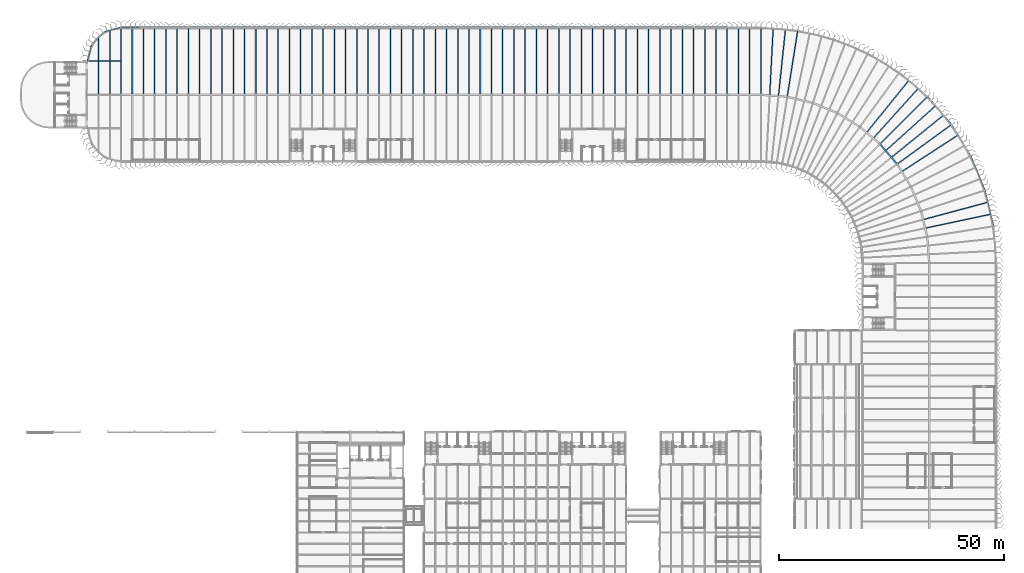
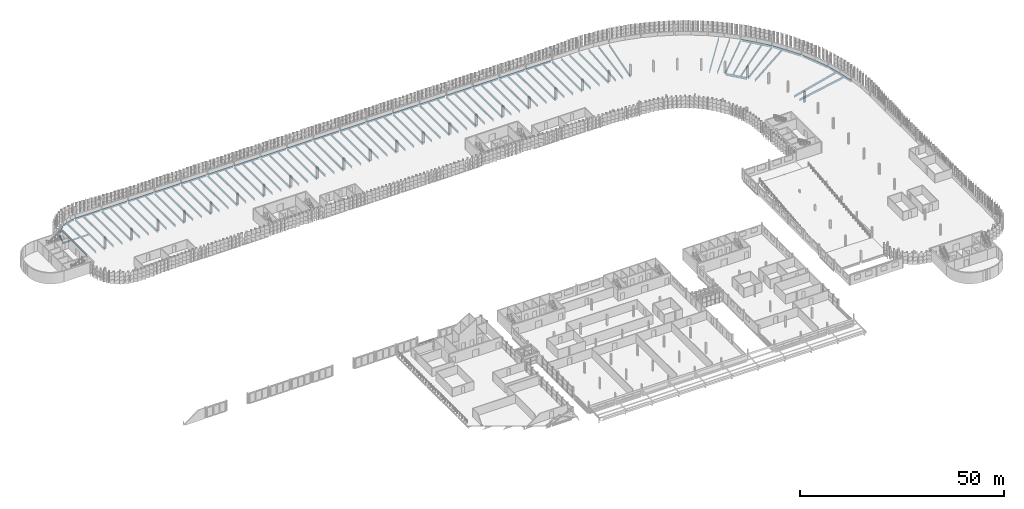
# One storey, part 55 of 214: 101 beams.
"""IFC4 building model written with IfcOpenShell, lengths in metres."""

from ifc_helpers import new_model, si_unit, direction, frame, origin, origin_2d, place, context, subcontext, project, spatial, i_section, extrude, material, material_profile, profile_set, type_object, element, save


model = new_model("IFC4")

# Units and contexts
model_context = context("Model", 3, precision=1e-05, world=origin(), true_north=direction((0.0, 1.0)))
body_context = subcontext(model_context, "Body", "Model", "MODEL_VIEW")
ifc_project = project(units=[si_unit("LENGTHUNIT", "METRE"), si_unit("AREAUNIT", "SQUARE_METRE"), si_unit("VOLUMEUNIT", "CUBIC_METRE"), si_unit("PLANEANGLEUNIT", "RADIAN"), si_unit("MASSUNIT", "GRAM", prefix="KILO")], contexts=[model_context])

# Site, building, storey
site_placement = place(None, origin())
site = spatial("IfcSite", under=ifc_project, at=site_placement, CompositionType="ELEMENT")
building_placement = place(site_placement, origin())
building = spatial("IfcBuilding", under=site, at=building_placement, Name="Parallax Yard Mobility Hub", CompositionType="ELEMENT")
storey_placement = place(building_placement, frame((0.0, 0.0, 3.300048828125)))
storey = spatial("IfcBuildingStorey", under=building, at=storey_placement, Name="L01", CompositionType="ELEMENT", Elevation=3.300048828125)

# Beams
ifc_material = material(Name="Steel ASTM A992", Category="steel")
ifc_material_profile_1 = material_profile(ifc_material, i_section(OverallWidth=0.19091796875, OverallDepth=0.45703125, WebThickness=0.009033203125, FlangeThickness=0.014404296875, FilletRadius=0.01025390625, at=origin_2d()), Name="W460x74")
ifc_profile_set_1 = profile_set([ifc_material_profile_1], Name="Steel ASTM A992")
beam_type_1 = type_object("IfcBeamType", Name="W460x74 longitudinal beam", PredefinedType="BEAM", material=ifc_profile_set_1)
beam_1_placement = place(storey_placement, frame((22.608154296875, 135.0, -0.36865234375), z_axis=(1.0, 0.0, 0.0), x_axis=(0.0, 1.0, 0.0)))
element("IfcBeam", 1, at=beam_1_placement, inside=storey, type_object=beam_type_1, Name="Longitudinal beam SB4 level L01, line U of ramped parking decks, span 1", PredefinedType="BEAM", context=body_context, shape_type="SweptSolid", body=[
    extrude(i_section(OverallWidth=0.19091796875, OverallDepth=0.45703125, WebThickness=0.009033203125, FlangeThickness=0.014404296875, FilletRadius=0.01025390625, at=origin_2d()), origin(), (0.0, 0.0, 1.0), 7.27734375),
])
ifc_material_profile_2 = material_profile(ifc_material, i_section(OverallWidth=0.208984375, OverallDepth=0.532958984375, WebThickness=0.01025390625, FlangeThickness=0.015625, FilletRadius=0.0126953125, at=origin_2d()), Name="W530x92")
ifc_profile_set_2 = profile_set([ifc_material_profile_2], Name="Steel ASTM A992")
beam_type_2 = type_object("IfcBeamType", Name="W530x92 edge beam", PredefinedType="SPANDREL", material=ifc_profile_set_2)
beam_2_placement = place(storey_placement, frame((30.155029296875, 142.5, -0.406494140625), z_axis=(1.0, 0.0, 0.0), x_axis=(0.0, 1.0, 0.0)))
element("IfcBeam", 2, at=beam_2_placement, inside=storey, type_object=beam_type_2, Name="Edge beam SB5 level L01, line V of ramped parking decks, span 1", PredefinedType="SPANDREL", context=body_context, shape_type="SweptSolid", body=[
    extrude(i_section(OverallWidth=0.208984375, OverallDepth=0.532958984375, WebThickness=0.01025390625, FlangeThickness=0.015625, FilletRadius=0.0126953125, at=origin_2d()), origin(), (0.0, 0.0, 1.0), 7.19140625),
])
for number, where, z_axis, x_axis, name in (
    (3, (37.653564453125, 142.5, -0.406494140625), (1.0, 0.0, 0.0), (0.0, 1.0, 0.0), "Edge beam SB5 level L01, line V of ramped parking decks, span 2"),
    (4, (45.153564453125, 142.5, -0.406494140625), (1.0, 0.0, 0.0), (0.0, 1.0, 0.0), "Edge beam SB5 level L01, line V of ramped parking decks, span 3"),
    (5, (52.653564453125, 142.5, -0.406494140625), (1.0, 0.0, 0.0), (0.0, 1.0, 0.0), "Edge beam SB5 level L01, line V of ramped parking decks, span 4"),
    (6, (60.153564453125, 142.5, -0.406494140625), (1.0, 0.0, 0.0), (0.0, 1.0, 0.0), "Edge beam SB5 level L01, line V of ramped parking decks, span 5"),
    (7, (67.653564453125, 142.5, -0.406494140625), (1.0, 0.0, 0.0), (0.0, 1.0, 0.0), "Edge beam SB5 level L01, line V of ramped parking decks, span 6"),
    (8, (75.153564453125, 142.5, -0.406494140625), (1.0, 0.0, 0.0), (0.0, 1.0, 0.0), "Edge beam SB5 level L01, line V of ramped parking decks, span 7"),
    (9, (82.653564453125, 142.5, -0.406494140625), (1.0, 0.0, 0.0), (0.0, 1.0, 0.0), "Edge beam SB5 level L01, line V of ramped parking decks, span 8"),
    (10, (90.153564453125, 142.5, -0.406494140625), (1.0, 0.0, 0.0), (0.0, 1.0, 0.0), "Edge beam SB5 level L01, line V of ramped parking decks, span 9"),
    (11, (97.653564453125, 142.5, -0.406494140625), (1.0, 0.0, 0.0), (0.0, 1.0, 0.0), "Edge beam SB5 level L01, line V of ramped parking decks, span 10"),
    (12, (105.153564453125, 142.5, -0.406494140625), (1.0, 0.0, 0.0), (0.0, 1.0, 0.0), "Edge beam SB5 level L01, line V of ramped parking decks, span 11"),
    (13, (112.653564453125, 142.5, -0.406494140625), (1.0, 0.0, 0.0), (0.0, 1.0, 0.0), "Edge beam SB5 level L01, line V of ramped parking decks, span 12"),
    (14, (120.153564453125, 142.5, -0.406494140625), (1.0, 0.0, 0.0), (0.0, 1.0, 0.0), "Edge beam SB5 level L01, line V of ramped parking decks, span 13"),
    (15, (127.653564453125, 142.5, -0.406494140625), (1.0, 0.0, 0.0), (0.0, 1.0, 0.0), "Edge beam SB5 level L01, line V of ramped parking decks, span 14"),
    (16, (135.153564453125, 142.5, -0.406494140625), (1.0, 0.0, 0.0), (0.0, 1.0, 0.0), "Edge beam SB5 level L01, line V of ramped parking decks, span 15"),
    (17, (142.653564453125, 142.5, -0.406494140625), (1.0, 0.0, 0.0), (0.0, 1.0, 0.0), "Edge beam SB5 level L01, line V of ramped parking decks, span 16"),
    (18, (150.153564453125, 142.5, -0.406494140625), (1.0, 0.0, 0.0), (0.0, 1.0, 0.0), "Edge beam SB5 level L01, line V of ramped parking decks, span 17"),
    (19, (157.653564453125, 142.5, -0.406494140625), (1.0, 0.0, 0.0), (0.0, 1.0, 0.0), "Edge beam SB5 level L01, line V of ramped parking decks, span 18"),
):
    element("IfcBeam", number, at=place(storey_placement, frame(where, z_axis=z_axis, x_axis=x_axis)), inside=storey, type_object=beam_type_2, Name=name, PredefinedType="SPANDREL", context=body_context, shape_type="SweptSolid", body=[
        extrude(i_section(OverallWidth=0.208984375, OverallDepth=0.532958984375, WebThickness=0.01025390625, FlangeThickness=0.015625, FilletRadius=0.0126953125, at=origin_2d()), origin(), (0.0, 0.0, 1.0), 7.19287109375),
    ])
beam_3_placement = place(storey_placement, frame((23.463623046875, 138.596435546875, -0.406494140625), z_axis=(-0.2588092838, -0.965928441769, 0.0), x_axis=(0.965928441769, -0.2588092838, 0.0)))
element("IfcBeam", 20, at=beam_3_placement, inside=storey, type_object=beam_type_2, Name="Edge beam SB5 level L01, the west end of ramped parking decks, span 2", PredefinedType="SPANDREL", context=body_context, shape_type="SweptSolid", body=[
    extrude(i_section(OverallWidth=0.208984375, OverallDepth=0.532958984375, WebThickness=0.01025390625, FlangeThickness=0.015625, FilletRadius=0.0126953125, at=origin_2d()), origin(), (0.0, 0.0, 1.0), 3.723388671875),
])
beam_4_placement = place(storey_placement, frame((26.097412109375, 141.3427734375, -0.406494140625), z_axis=(-0.707106781187, -0.707106781187, 0.0), x_axis=(0.707106781187, -0.707106781187, 0.0)))
element("IfcBeam", 21, at=beam_4_placement, inside=storey, type_object=beam_type_2, Name="Edge beam SB5 level L01, the west end of ramped parking decks, span 4", PredefinedType="SPANDREL", context=body_context, shape_type="SweptSolid", body=[
    extrude(i_section(OverallWidth=0.208984375, OverallDepth=0.532958984375, WebThickness=0.01025390625, FlangeThickness=0.015625, FilletRadius=0.0126953125, at=origin_2d()), origin(), (0.0, 0.0, 1.0), 3.450927734375),
])
beam_5_placement = place(storey_placement, frame((29.844970703125, 142.45849609375, -0.406494140625), z_axis=(-0.965927258266, -0.258813700832, 0.0), x_axis=(0.258813700832, -0.965927258266, 0.0)))
element("IfcBeam", 22, at=beam_5_placement, inside=storey, type_object=beam_type_2, Name="Edge beam SB5 level L01, the west end of ramped parking decks, span 6", PredefinedType="SPANDREL", context=body_context, shape_type="SweptSolid", body=[
    extrude(i_section(OverallWidth=0.208984375, OverallDepth=0.532958984375, WebThickness=0.01025390625, FlangeThickness=0.015625, FilletRadius=0.0126953125, at=origin_2d()), origin(), (0.0, 0.0, 1.0), 3.563720703125),
])
ifc_material_profile_3 = material_profile(ifc_material, i_section(OverallWidth=0.22802734375, OverallDepth=0.60205078125, WebThickness=0.010498046875, FlangeThickness=0.014892578125, FilletRadius=0.0126953125, at=origin_2d()), Name="W610x101")
ifc_profile_set_3 = profile_set([ifc_material_profile_3], Name="Steel ASTM A992")
beam_type_3 = type_object("IfcBeamType", Name="W610x101 secondary beam", PredefinedType="JOIST", material=ifc_profile_set_3)
for number, where, z_axis, x_axis, name in (
    (23, (70.0, 127.66259765625, -0.441162109375), (0.0, 1.0, 0.0), (-1.0, 0.0, 0.0), "Secondary beam B3 level L01, 2.5 m east of line 10 of ramped parking decks, span 2"),
    (24, (77.5, 127.66259765625, -0.441162109375), (0.0, 1.0, 0.0), (-1.0, 0.0, 0.0), "Secondary beam B3 level L01, 2.5 m east of line 11 of ramped parking decks, span 2"),
    (25, (85.0, 127.66259765625, -0.441162109375), (0.0, 1.0, 0.0), (-1.0, 0.0, 0.0), "Secondary beam B3 level L01, 2.5 m east of line 12 of ramped parking decks, span 2"),
    (26, (92.5, 127.66259765625, -0.441162109375), (0.0, 1.0, 0.0), (-1.0, 0.0, 0.0), "Secondary beam B3 level L01, 2.5 m east of line 13 of ramped parking decks, span 2"),
    (27, (100.0, 127.66259765625, -0.441162109375), (0.0, 1.0, 0.0), (-1.0, 0.0, 0.0), "Secondary beam B3 level L01, 2.5 m east of line 14 of ramped parking decks, span 2"),
    (28, (107.5, 127.66259765625, -0.441162109375), (0.0, 1.0, 0.0), (-1.0, 0.0, 0.0), "Secondary beam B3 level L01, 2.5 m east of line 15 of ramped parking decks, span 2"),
    (29, (115.0, 127.66259765625, -0.441162109375), (0.0, 1.0, 0.0), (-1.0, 0.0, 0.0), "Secondary beam B3 level L01, 2.5 m east of line 16 of ramped parking decks, span 2"),
    (30, (122.5, 127.66259765625, -0.441162109375), (0.0, 1.0, 0.0), (-1.0, 0.0, 0.0), "Secondary beam B3 level L01, 2.5 m east of line 17 of ramped parking decks, span 2"),
    (31, (130.0, 127.66259765625, -0.441162109375), (0.0, 1.0, 0.0), (-1.0, 0.0, 0.0), "Secondary beam B3 level L01, 2.5 m east of line 18 of ramped parking decks, span 2"),
    (32, (137.5, 127.66259765625, -0.441162109375), (0.0, 1.0, 0.0), (-1.0, 0.0, 0.0), "Secondary beam B3 level L01, 2.5 m east of line 19 of ramped parking decks, span 2"),
    (33, (145.0, 127.66259765625, -0.441162109375), (0.0, 1.0, 0.0), (-1.0, 0.0, 0.0), "Secondary beam B3 level L01, 2.5 m east of line 20 of ramped parking decks, span 2"),
    (34, (152.5, 127.66259765625, -0.441162109375), (0.0, 1.0, 0.0), (-1.0, 0.0, 0.0), "Secondary beam B3 level L01, 2.5 m east of line 21 of ramped parking decks, span 2"),
    (35, (160.0, 127.66259765625, -0.441162109375), (0.0, 1.0, 0.0), (-1.0, 0.0, 0.0), "Secondary beam B3 level L01, 2.5 m east of line 22 of ramped parking decks, span 2"),
    (36, (167.5, 127.66259765625, -0.441162109375), (0.0, 1.0, 0.0), (-1.0, 0.0, 0.0), "Secondary beam B3 level L01, 2.5 m east of line 23 of ramped parking decks, span 2"),
):
    element("IfcBeam", number, at=place(storey_placement, frame(where, z_axis=z_axis, x_axis=x_axis)), inside=storey, type_object=beam_type_3, Name=name, PredefinedType="JOIST", context=body_context, shape_type="SweptSolid", body=[
        extrude(i_section(OverallWidth=0.22802734375, OverallDepth=0.60205078125, WebThickness=0.010498046875, FlangeThickness=0.014892578125, FilletRadius=0.0126953125, at=origin_2d()), origin(), (0.0, 0.0, 1.0), 14.73291015625),
    ])
beam_6_placement = place(storey_placement, frame((25.0, 127.595458984375, -0.441162109375), z_axis=(0.0, 1.0, 0.0), x_axis=(-1.0, 0.0, 0.0)))
element("IfcBeam", 37, at=beam_6_placement, inside=storey, type_object=beam_type_3, Name="Secondary beam B3 level L01, 2.5 m east of line 4 of ramped parking decks, span 3", PredefinedType="JOIST", context=body_context, shape_type="SweptSolid", body=[
    extrude(i_section(OverallWidth=0.22802734375, OverallDepth=0.60205078125, WebThickness=0.010498046875, FlangeThickness=0.014892578125, FilletRadius=0.0126953125, at=origin_2d()), origin(), (0.0, 0.0, 1.0), 7.30908203125),
])
beam_7_placement = place(storey_placement, frame((25.0, 135.095458984375, -0.441162109375), z_axis=(0.0, 1.0, 0.0), x_axis=(-1.0, 0.0, 0.0)))
element("IfcBeam", 38, at=beam_7_placement, inside=storey, type_object=beam_type_3, Name="Secondary beam B3 level L01, 2.5 m east of line 4 of ramped parking decks, span 4", PredefinedType="JOIST", context=body_context, shape_type="SweptSolid", body=[
    extrude(i_section(OverallWidth=0.22802734375, OverallDepth=0.60205078125, WebThickness=0.010498046875, FlangeThickness=0.014892578125, FilletRadius=0.0126953125, at=origin_2d()), origin(), (0.0, 0.0, 1.0), 5.001953125),
])
for number, where, z_axis, x_axis, name in (
    (39, (32.5, 127.66259765625, -0.441162109375), (0.0, 1.0, 0.0), (-1.0, 0.0, 0.0), "Secondary beam B3 level L01, 2.5 m east of line 5 of ramped parking decks, span 2"),
    (40, (40.0, 127.66259765625, -0.441162109375), (0.0, 1.0, 0.0), (-1.0, 0.0, 0.0), "Secondary beam B3 level L01, 2.5 m east of line 6 of ramped parking decks, span 2"),
    (41, (47.5, 127.66259765625, -0.441162109375), (0.0, 1.0, 0.0), (-1.0, 0.0, 0.0), "Secondary beam B3 level L01, 2.5 m east of line 7 of ramped parking decks, span 2"),
    (42, (55.0, 127.66259765625, -0.441162109375), (0.0, 1.0, 0.0), (-1.0, 0.0, 0.0), "Secondary beam B3 level L01, 2.5 m east of line 8 of ramped parking decks, span 2"),
    (43, (62.5, 127.66259765625, -0.441162109375), (0.0, 1.0, 0.0), (-1.0, 0.0, 0.0), "Secondary beam B3 level L01, 2.5 m east of line 9 of ramped parking decks, span 2"),
    (44, (72.5, 127.66259765625, -0.441162109375), (0.0, 1.0, 0.0), (-1.0, 0.0, 0.0), "Secondary beam B3 level L01, 5 m east of line 10 of ramped parking decks, span 2"),
    (45, (80.0, 127.66259765625, -0.441162109375), (0.0, 1.0, 0.0), (-1.0, 0.0, 0.0), "Secondary beam B3 level L01, 5 m east of line 11 of ramped parking decks, span 2"),
    (46, (87.5, 127.66259765625, -0.441162109375), (0.0, 1.0, 0.0), (-1.0, 0.0, 0.0), "Secondary beam B3 level L01, 5 m east of line 12 of ramped parking decks, span 2"),
    (47, (95.0, 127.66259765625, -0.441162109375), (0.0, 1.0, 0.0), (-1.0, 0.0, 0.0), "Secondary beam B3 level L01, 5 m east of line 13 of ramped parking decks, span 2"),
    (48, (102.5, 127.66259765625, -0.441162109375), (0.0, 1.0, 0.0), (-1.0, 0.0, 0.0), "Secondary beam B3 level L01, 5 m east of line 14 of ramped parking decks, span 2"),
    (49, (110.0, 127.66259765625, -0.441162109375), (0.0, 1.0, 0.0), (-1.0, 0.0, 0.0), "Secondary beam B3 level L01, 5 m east of line 15 of ramped parking decks, span 2"),
    (50, (117.5, 127.66259765625, -0.441162109375), (0.0, 1.0, 0.0), (-1.0, 0.0, 0.0), "Secondary beam B3 level L01, 5 m east of line 16 of ramped parking decks, span 2"),
    (51, (125.0, 127.66259765625, -0.441162109375), (0.0, 1.0, 0.0), (-1.0, 0.0, 0.0), "Secondary beam B3 level L01, 5 m east of line 17 of ramped parking decks, span 2"),
    (52, (132.5, 127.66259765625, -0.441162109375), (0.0, 1.0, 0.0), (-1.0, 0.0, 0.0), "Secondary beam B3 level L01, 5 m east of line 18 of ramped parking decks, span 2"),
    (53, (140.0, 127.66259765625, -0.441162109375), (0.0, 1.0, 0.0), (-1.0, 0.0, 0.0), "Secondary beam B3 level L01, 5 m east of line 19 of ramped parking decks, span 2"),
    (54, (147.5, 127.66259765625, -0.441162109375), (0.0, 1.0, 0.0), (-1.0, 0.0, 0.0), "Secondary beam B3 level L01, 5 m east of line 20 of ramped parking decks, span 2"),
    (55, (155.0, 127.66259765625, -0.441162109375), (0.0, 1.0, 0.0), (-1.0, 0.0, 0.0), "Secondary beam B3 level L01, 5 m east of line 21 of ramped parking decks, span 2"),
    (56, (162.5, 127.66259765625, -0.441162109375), (0.0, 1.0, 0.0), (-1.0, 0.0, 0.0), "Secondary beam B3 level L01, 5 m east of line 22 of ramped parking decks, span 2"),
    (57, (170.0, 127.66259765625, -0.441162109375), (0.0, 1.0, 0.0), (-1.0, 0.0, 0.0), "Secondary beam B3 level L01, 5 m east of line 23 of ramped parking decks, span 2"),
):
    element("IfcBeam", number, at=place(storey_placement, frame(where, z_axis=z_axis, x_axis=x_axis)), inside=storey, type_object=beam_type_3, Name=name, PredefinedType="JOIST", context=body_context, shape_type="SweptSolid", body=[
        extrude(i_section(OverallWidth=0.22802734375, OverallDepth=0.60205078125, WebThickness=0.010498046875, FlangeThickness=0.014892578125, FilletRadius=0.0126953125, at=origin_2d()), origin(), (0.0, 0.0, 1.0), 14.73291015625),
    ])
beam_8_placement = place(storey_placement, frame((27.5, 127.595458984375, -0.441162109375), z_axis=(0.0, 1.0, 0.0), x_axis=(-1.0, 0.0, 0.0)))
element("IfcBeam", 58, at=beam_8_placement, inside=storey, type_object=beam_type_3, Name="Secondary beam B3 level L01, 5 m east of line 4 of ramped parking decks, span 3", PredefinedType="JOIST", context=body_context, shape_type="SweptSolid", body=[
    extrude(i_section(OverallWidth=0.22802734375, OverallDepth=0.60205078125, WebThickness=0.010498046875, FlangeThickness=0.014892578125, FilletRadius=0.0126953125, at=origin_2d()), origin(), (0.0, 0.0, 1.0), 7.30908203125),
])
beam_9_placement = place(storey_placement, frame((27.5, 135.095458984375, -0.441162109375), z_axis=(0.0, 1.0, 0.0), x_axis=(-1.0, 0.0, 0.0)))
element("IfcBeam", 59, at=beam_9_placement, inside=storey, type_object=beam_type_3, Name="Secondary beam B3 level L01, 5 m east of line 4 of ramped parking decks, span 4", PredefinedType="JOIST", context=body_context, shape_type="SweptSolid", body=[
    extrude(i_section(OverallWidth=0.22802734375, OverallDepth=0.60205078125, WebThickness=0.010498046875, FlangeThickness=0.014892578125, FilletRadius=0.0126953125, at=origin_2d()), origin(), (0.0, 0.0, 1.0), 6.62646484375),
])
for number, where, z_axis, x_axis, name in (
    (60, (35.0, 127.66259765625, -0.441162109375), (0.0, 1.0, 0.0), (-1.0, 0.0, 0.0), "Secondary beam B3 level L01, 5 m east of line 5 of ramped parking decks, span 2"),
    (61, (42.5, 127.66259765625, -0.441162109375), (0.0, 1.0, 0.0), (-1.0, 0.0, 0.0), "Secondary beam B3 level L01, 5 m east of line 6 of ramped parking decks, span 2"),
    (62, (50.0, 127.66259765625, -0.441162109375), (0.0, 1.0, 0.0), (-1.0, 0.0, 0.0), "Secondary beam B3 level L01, 5 m east of line 7 of ramped parking decks, span 2"),
    (63, (57.5, 127.66259765625, -0.441162109375), (0.0, 1.0, 0.0), (-1.0, 0.0, 0.0), "Secondary beam B3 level L01, 5 m east of line 8 of ramped parking decks, span 2"),
    (64, (65.0, 127.66259765625, -0.441162109375), (0.0, 1.0, 0.0), (-1.0, 0.0, 0.0), "Secondary beam B3 level L01, 5 m east of line 9 of ramped parking decks, span 2"),
):
    element("IfcBeam", number, at=place(storey_placement, frame(where, z_axis=z_axis, x_axis=x_axis)), inside=storey, type_object=beam_type_3, Name=name, PredefinedType="JOIST", context=body_context, shape_type="SweptSolid", body=[
        extrude(i_section(OverallWidth=0.22802734375, OverallDepth=0.60205078125, WebThickness=0.010498046875, FlangeThickness=0.014892578125, FilletRadius=0.0126953125, at=origin_2d()), origin(), (0.0, 0.0, 1.0), 14.73291015625),
    ])
beam_10_placement = place(storey_placement, frame((174.4658203125, 127.50830078125, -0.441162109375), z_axis=(0.052331034694, 0.99862979267, 0.0), x_axis=(-0.99862979267, 0.052331034694, 0.0)))
element("IfcBeam", 65, at=beam_10_placement, inside=storey, type_object=beam_type_3, Name="Secondary beam B3 level L01, radial at 3 degrees of ramped parking decks, span 2", PredefinedType="JOIST", context=body_context, shape_type="SweptSolid", body=[
    extrude(i_section(OverallWidth=0.22802734375, OverallDepth=0.60205078125, WebThickness=0.010498046875, FlangeThickness=0.014892578125, FilletRadius=0.0126953125, at=origin_2d()), origin(), (0.0, 0.0, 1.0), 14.681640625),
])
beam_11_placement = place(storey_placement, frame((196.13720703125, 119.189453125, -0.441162109375), z_axis=(0.629317812071, 0.777148049865, 0.0), x_axis=(-0.777148049865, 0.629317812071, 0.0)))
element("IfcBeam", 66, at=beam_11_placement, inside=storey, type_object=beam_type_3, Name="Secondary beam B3 level L01, radial at 39 degrees of ramped parking decks, span 2", PredefinedType="JOIST", context=body_context, shape_type="SweptSolid", body=[
    extrude(i_section(OverallWidth=0.22802734375, OverallDepth=0.60205078125, WebThickness=0.010498046875, FlangeThickness=0.014892578125, FilletRadius=0.0126953125, at=origin_2d()), origin(), (0.0, 0.0, 1.0), 14.681884765625),
])
for number, where, z_axis, x_axis, name in (
    (67, (197.63232421875, 117.912353515625, -0.441162109375), (0.669130085287, 0.743145294652, 0.0), (-0.743145294652, 0.669130085287, 0.0), "Secondary beam B3 level L01, radial at 42 degrees of ramped parking decks, span 2"),
    (68, (200.412353515625, 115.13232421875, -0.441162109375), (0.743145294652, 0.669130085287, 0.0), (-0.669130085287, 0.743145294652, 0.0), "Secondary beam B3 level L01, radial at 48 degrees of ramped parking decks, span 2"),
):
    element("IfcBeam", number, at=place(storey_placement, frame(where, z_axis=z_axis, x_axis=x_axis)), inside=storey, type_object=beam_type_3, Name=name, PredefinedType="JOIST", context=body_context, shape_type="SweptSolid", body=[
        extrude(i_section(OverallWidth=0.22802734375, OverallDepth=0.60205078125, WebThickness=0.010498046875, FlangeThickness=0.014892578125, FilletRadius=0.0126953125, at=origin_2d()), origin(), (0.0, 0.0, 1.0), 14.681640625),
    ])
for number, where, z_axis, x_axis, name in (
    (69, (201.689453125, 113.63720703125, -0.441162109375), (0.777148049865, 0.629317812071, 0.0), (-0.629317812071, 0.777148049865, 0.0), "Secondary beam B3 level L01, radial at 51 degrees of ramped parking decks, span 2"),
    (70, (204.000244140625, 110.45654296875, -0.441162109375), (0.838669595432, 0.544640532551, 0.0), (-0.544640532551, 0.838669595432, 0.0), "Secondary beam B3 level L01, radial at 57 degrees of ramped parking decks, span 2"),
):
    element("IfcBeam", number, at=place(storey_placement, frame(where, z_axis=z_axis, x_axis=x_axis)), inside=storey, type_object=beam_type_3, Name=name, PredefinedType="JOIST", context=body_context, shape_type="SweptSolid", body=[
        extrude(i_section(OverallWidth=0.22802734375, OverallDepth=0.60205078125, WebThickness=0.010498046875, FlangeThickness=0.014892578125, FilletRadius=0.0126953125, at=origin_2d()), origin(), (0.0, 0.0, 1.0), 14.681884765625),
    ])
beam_12_placement = place(storey_placement, frame((176.426025390625, 127.35400390625, -0.441162109375), z_axis=(0.104528973154, 0.994521841777, 0.0), x_axis=(-0.994521841777, 0.104528973154, 0.0)))
element("IfcBeam", 71, at=beam_12_placement, inside=storey, type_object=beam_type_3, Name="Secondary beam B3 level L01, radial at 6 degrees of ramped parking decks, span 2", PredefinedType="JOIST", context=body_context, shape_type="SweptSolid", body=[
    extrude(i_section(OverallWidth=0.22802734375, OverallDepth=0.60205078125, WebThickness=0.010498046875, FlangeThickness=0.014892578125, FilletRadius=0.0126953125, at=origin_2d()), origin(), (0.0, 0.0, 1.0), 14.681640625),
])
for number, where, z_axis, x_axis, name in (
    (72, (208.77978515625, 99.72119140625, -0.441162109375), (0.965924299306, 0.258824743814, 0.0), (-0.258824743814, 0.965924299306, 0.0), "Secondary beam B3 level L01, radial at 75 degrees of ramped parking decks, span 2"),
    (73, (209.239013671875, 97.80908203125, -0.441162109375), (0.978148326542, 0.207908276129, 0.0), (-0.207908276129, 0.978148326542, 0.0), "Secondary beam B3 level L01, radial at 78 degrees of ramped parking decks, span 2"),
):
    element("IfcBeam", number, at=place(storey_placement, frame(where, z_axis=z_axis, x_axis=x_axis)), inside=storey, type_object=beam_type_3, Name=name, PredefinedType="JOIST", context=body_context, shape_type="SweptSolid", body=[
        extrude(i_section(OverallWidth=0.22802734375, OverallDepth=0.60205078125, WebThickness=0.010498046875, FlangeThickness=0.014892578125, FilletRadius=0.0126953125, at=origin_2d()), origin(), (0.0, 0.0, 1.0), 14.681884765625),
    ])
ifc_material_profile_4 = material_profile(ifc_material, i_section(OverallWidth=0.22900390625, OverallDepth=0.612060546875, WebThickness=0.011962890625, FlangeThickness=0.01953125, FilletRadius=0.0126953125, at=origin_2d()), Name="W610x125")
ifc_profile_set_4 = profile_set([ifc_material_profile_4], Name="Steel ASTM A992")
beam_type_4 = type_object("IfcBeamType", Name="W610x125 edge beam", PredefinedType="SPANDREL", material=ifc_profile_set_4)
beam_13_placement = place(storey_placement, frame((209.72314453125, 127.006103515625, -0.446044921875), z_axis=(0.649433933187, -0.760418020845, 0.0), x_axis=(0.760418020845, 0.649433933187, 0.0)))
element("IfcBeam", 74, at=beam_13_placement, inside=storey, type_object=beam_type_4, Name="Edge beam SB7 level L01, ring RC of ramped parking decks, span 6", PredefinedType="SPANDREL", context=body_context, shape_type="SweptSolid", body=[
    extrude(i_section(OverallWidth=0.22900390625, OverallDepth=0.612060546875, WebThickness=0.011962890625, FlangeThickness=0.01953125, FilletRadius=0.0126953125, at=origin_2d()), origin(), (0.0, 0.0, 1.0), 7.93017578125),
])
beam_14_placement = place(storey_placement, frame((215.053955078125, 120.727294921875, -0.446044921875), z_axis=(0.522486974633, -0.852647266658, 0.0), x_axis=(0.852647266658, 0.522486974633, 0.0)))
element("IfcBeam", 75, at=beam_14_placement, inside=storey, type_object=beam_type_4, Name="Edge beam SB7 level L01, ring RC of ramped parking decks, span 7", PredefinedType="SPANDREL", context=body_context, shape_type="SweptSolid", body=[
    extrude(i_section(OverallWidth=0.22900390625, OverallDepth=0.612060546875, WebThickness=0.011962890625, FlangeThickness=0.01953125, FilletRadius=0.0126953125, at=origin_2d()), origin(), (0.0, 0.0, 1.0), 7.929931640625),
])
beam_15_placement = place(storey_placement, frame((219.336669921875, 113.692138671875, -0.446044921875), z_axis=(0.382706168036, -0.92387011476, 0.0), x_axis=(0.92387011476, 0.382706168036, 0.0)))
element("IfcBeam", 76, at=beam_15_placement, inside=storey, type_object=beam_type_4, Name="Edge beam SB7 level L01, ring RC of ramped parking decks, span 8", PredefinedType="SPANDREL", context=body_context, shape_type="SweptSolid", body=[
    extrude(i_section(OverallWidth=0.22900390625, OverallDepth=0.612060546875, WebThickness=0.011962890625, FlangeThickness=0.01953125, FilletRadius=0.0126953125, at=origin_2d()), origin(), (0.0, 0.0, 1.0), 7.93017578125),
])
beam_16_placement = place(storey_placement, frame((222.46630859375, 106.07373046875, -0.446044921875), z_axis=(0.23344863544, -0.972369134954, 0.0), x_axis=(0.972369134954, 0.23344863544, 0.0)))
element("IfcBeam", 77, at=beam_16_placement, inside=storey, type_object=beam_type_4, Name="Edge beam SB7 level L01, ring RC of ramped parking decks, span 9", PredefinedType="SPANDREL", context=body_context, shape_type="SweptSolid", body=[
    extrude(i_section(OverallWidth=0.22900390625, OverallDepth=0.612060546875, WebThickness=0.011962890625, FlangeThickness=0.01953125, FilletRadius=0.0126953125, at=origin_2d()), origin(), (0.0, 0.0, 1.0), 7.930419921875),
])
ifc_material_profile_5 = material_profile(ifc_material, i_section(OverallWidth=0.22900390625, OverallDepth=0.612060546875, WebThickness=0.011962890625, FlangeThickness=0.01953125, FilletRadius=0.0126953125, at=origin_2d()), Name="W610x125")
ifc_profile_set_5 = profile_set([ifc_material_profile_5], Name="Steel ASTM A992")
beam_type_5 = type_object("IfcBeamType", Name="W610x125 girder", PredefinedType="BEAM", material=ifc_profile_set_5)
for number, where, z_axis, x_axis, name in (
    (78, (67.5, 127.6904296875, -0.446044921875), (0.0, 1.0, 0.0), (-1.0, 0.0, 0.0), "Girder G3 level L01, line 10 of ramped parking decks, span 2"),
    (79, (75.0, 127.6904296875, -0.446044921875), (0.0, 1.0, 0.0), (-1.0, 0.0, 0.0), "Girder G3 level L01, line 11 of ramped parking decks, span 2"),
    (80, (82.5, 127.6904296875, -0.446044921875), (0.0, 1.0, 0.0), (-1.0, 0.0, 0.0), "Girder G3 level L01, line 12 of ramped parking decks, span 2"),
    (81, (90.0, 127.6904296875, -0.446044921875), (0.0, 1.0, 0.0), (-1.0, 0.0, 0.0), "Girder G3 level L01, line 13 of ramped parking decks, span 2"),
    (82, (97.5, 127.6904296875, -0.446044921875), (0.0, 1.0, 0.0), (-1.0, 0.0, 0.0), "Girder G3 level L01, line 14 of ramped parking decks, span 2"),
    (83, (105.0, 127.6904296875, -0.446044921875), (0.0, 1.0, 0.0), (-1.0, 0.0, 0.0), "Girder G3 level L01, line 15 of ramped parking decks, span 2"),
    (84, (112.5, 127.6904296875, -0.446044921875), (0.0, 1.0, 0.0), (-1.0, 0.0, 0.0), "Girder G3 level L01, line 16 of ramped parking decks, span 2"),
    (85, (120.0, 127.6904296875, -0.446044921875), (0.0, 1.0, 0.0), (-1.0, 0.0, 0.0), "Girder G3 level L01, line 17 of ramped parking decks, span 2"),
    (86, (127.5, 127.6904296875, -0.446044921875), (0.0, 1.0, 0.0), (-1.0, 0.0, 0.0), "Girder G3 level L01, line 18 of ramped parking decks, span 2"),
    (87, (135.0, 127.6904296875, -0.446044921875), (0.0, 1.0, 0.0), (-1.0, 0.0, 0.0), "Girder G3 level L01, line 19 of ramped parking decks, span 2"),
    (88, (142.5, 127.6904296875, -0.446044921875), (0.0, 1.0, 0.0), (-1.0, 0.0, 0.0), "Girder G3 level L01, line 20 of ramped parking decks, span 2"),
    (89, (150.0, 127.6904296875, -0.446044921875), (0.0, 1.0, 0.0), (-1.0, 0.0, 0.0), "Girder G3 level L01, line 21 of ramped parking decks, span 2"),
    (90, (157.5, 127.6904296875, -0.446044921875), (0.0, 1.0, 0.0), (-1.0, 0.0, 0.0), "Girder G3 level L01, line 22 of ramped parking decks, span 2"),
    (91, (165.0, 127.6904296875, -0.446044921875), (0.0, 1.0, 0.0), (-1.0, 0.0, 0.0), "Girder G3 level L01, line 23 of ramped parking decks, span 2"),
):
    element("IfcBeam", number, at=place(storey_placement, frame(where, z_axis=z_axis, x_axis=x_axis)), inside=storey, type_object=beam_type_5, Name=name, PredefinedType="BEAM", context=body_context, shape_type="SweptSolid", body=[
        extrude(i_section(OverallWidth=0.22900390625, OverallDepth=0.612060546875, WebThickness=0.011962890625, FlangeThickness=0.01953125, FilletRadius=0.0126953125, at=origin_2d()), origin(), (0.0, 0.0, 1.0), 14.650634765625),
    ])
beam_17_placement = place(storey_placement, frame((172.5, 127.68798828125, -0.446044921875), z_axis=(0.0, 1.0, 0.0), x_axis=(-1.0, 0.0, 0.0)))
element("IfcBeam", 92, at=beam_17_placement, inside=storey, type_object=beam_type_5, Name="Girder G3 level L01, line 24 of ramped parking decks, span 2", PredefinedType="BEAM", context=body_context, shape_type="SweptSolid", body=[
    extrude(i_section(OverallWidth=0.22900390625, OverallDepth=0.612060546875, WebThickness=0.011962890625, FlangeThickness=0.01953125, FilletRadius=0.0126953125, at=origin_2d()), origin(), (0.0, 0.0, 1.0), 14.653076171875),
])
beam_18_placement = place(storey_placement, frame((30.0, 127.6904296875, -0.446044921875), z_axis=(0.0, 1.0, 0.0), x_axis=(-1.0, 0.0, 0.0)))
element("IfcBeam", 93, at=beam_18_placement, inside=storey, type_object=beam_type_5, Name="Girder G3 level L01, line 5 of ramped parking decks, span 2", PredefinedType="BEAM", context=body_context, shape_type="SweptSolid", body=[
    extrude(i_section(OverallWidth=0.22900390625, OverallDepth=0.612060546875, WebThickness=0.011962890625, FlangeThickness=0.01953125, FilletRadius=0.0126953125, at=origin_2d()), origin(), (0.0, 0.0, 1.0), 14.6455078125),
])
for number, where, z_axis, x_axis, name in (
    (94, (37.5, 127.6904296875, -0.446044921875), (0.0, 1.0, 0.0), (-1.0, 0.0, 0.0), "Girder G3 level L01, line 6 of ramped parking decks, span 2"),
    (95, (45.0, 127.6904296875, -0.446044921875), (0.0, 1.0, 0.0), (-1.0, 0.0, 0.0), "Girder G3 level L01, line 7 of ramped parking decks, span 2"),
    (96, (52.5, 127.6904296875, -0.446044921875), (0.0, 1.0, 0.0), (-1.0, 0.0, 0.0), "Girder G3 level L01, line 8 of ramped parking decks, span 2"),
    (97, (60.0, 127.6904296875, -0.446044921875), (0.0, 1.0, 0.0), (-1.0, 0.0, 0.0), "Girder G3 level L01, line 9 of ramped parking decks, span 2"),
):
    element("IfcBeam", number, at=place(storey_placement, frame(where, z_axis=z_axis, x_axis=x_axis)), inside=storey, type_object=beam_type_5, Name=name, PredefinedType="BEAM", context=body_context, shape_type="SweptSolid", body=[
        extrude(i_section(OverallWidth=0.22900390625, OverallDepth=0.612060546875, WebThickness=0.011962890625, FlangeThickness=0.01953125, FilletRadius=0.0126953125, at=origin_2d()), origin(), (0.0, 0.0, 1.0), 14.650634765625),
    ])
for number, where, z_axis, x_axis, name in (
    (98, (178.3955078125, 127.222412109375, -0.446044921875), (0.156434791233, 0.987688288931, 0.0), (-0.987688288931, 0.156434791233, 0.0), "Girder G3 level L01, radial R1 of ramped parking decks, span 1"),
    (99, (199.1484375, 116.6484375, -0.446044921875), (0.707106781187, 0.707106781187, 0.0), (-0.707106781187, 0.707106781187, 0.0), "Girder G3 level L01, radial R5 of ramped parking decks, span 1"),
):
    element("IfcBeam", number, at=place(storey_placement, frame(where, z_axis=z_axis, x_axis=x_axis)), inside=storey, type_object=beam_type_5, Name=name, PredefinedType="BEAM", context=body_context, shape_type="SweptSolid", body=[
        extrude(i_section(OverallWidth=0.22900390625, OverallDepth=0.612060546875, WebThickness=0.011962890625, FlangeThickness=0.01953125, FilletRadius=0.0126953125, at=origin_2d()), origin(), (0.0, 0.0, 1.0), 14.654541015625),
    ])
beam_19_placement = place(storey_placement, frame((202.989013671875, 112.151611328125, -0.446044921875), z_axis=(0.809021998856, 0.587778364153, 0.0), x_axis=(-0.587778364153, 0.809021998856, 0.0)))
element("IfcBeam", 100, at=beam_19_placement, inside=storey, type_object=beam_type_5, Name="Girder G3 level L01, radial R6 of ramped parking decks, span 2", PredefinedType="BEAM", context=body_context, shape_type="SweptSolid", body=[
    extrude(i_section(OverallWidth=0.22900390625, OverallDepth=0.612060546875, WebThickness=0.011962890625, FlangeThickness=0.01953125, FilletRadius=0.0126953125, at=origin_2d()), origin(), (0.0, 0.0, 1.0), 14.654296875),
])
ifc_material_profile_6 = material_profile(ifc_material, i_section(OverallWidth=0.324951171875, OverallDepth=0.612060546875, WebThickness=0.0126953125, FlangeThickness=0.01904296875, FilletRadius=0.0126953125, at=origin_2d()), Name="W610x155")
ifc_profile_set_6 = profile_set([ifc_material_profile_6], Name="Steel ASTM A992")
beam_type_6 = type_object("IfcBeamType", Name="W610x155 longitudinal beam", PredefinedType="BEAM", material=ifc_profile_set_6)
beam_20_placement = place(storey_placement, frame((199.137939453125, 116.374267578125, -0.446044921875), z_axis=(0.649433015254, -0.760418804803, 0.0), x_axis=(0.760418804803, 0.649433015254, 0.0)))
element("IfcBeam", 101, at=beam_20_placement, inside=storey, type_object=beam_type_6, Name="Longitudinal beam SB8 level L01, ring RB of ramped parking decks, span 6", PredefinedType="BEAM", context=body_context, shape_type="SweptSolid", body=[
    extrude(i_section(OverallWidth=0.324951171875, OverallDepth=0.612060546875, WebThickness=0.0126953125, FlangeThickness=0.01904296875, FilletRadius=0.0126953125, at=origin_2d()), origin(), (0.0, 0.0, 1.0), 5.51025390625),
])

save(model, "model.ifc")
